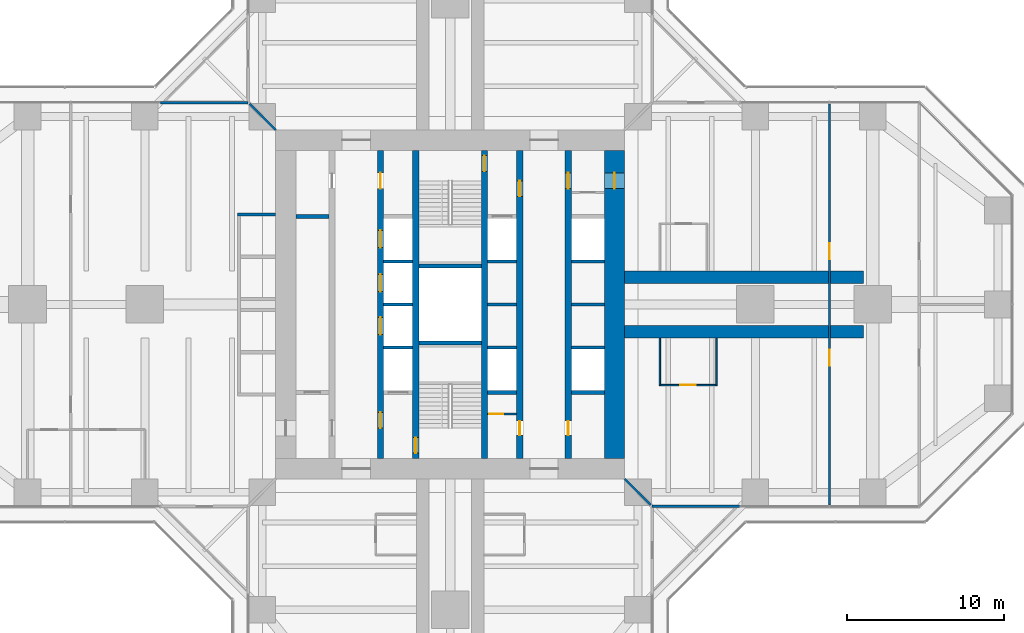
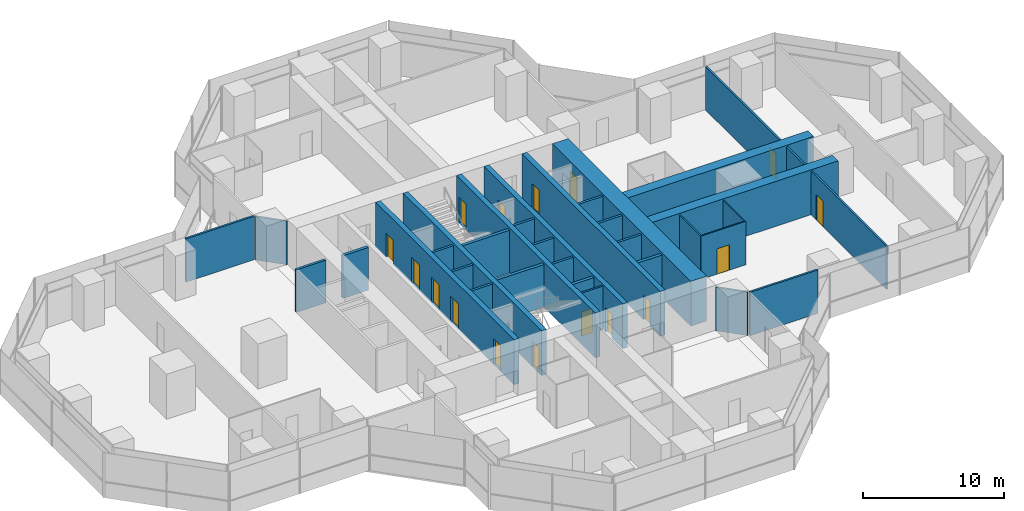
# One storey, part 16 of 20: 32 walls, 16 doors, 16 openings.
"""IFC4 building model written with IfcOpenShell, lengths in metres."""

from ifc_helpers import new_model, si_unit, direction, frame, frame_2d, origin, place, context, subcontext, project, spatial, rectangle, extrude, material, layer, layer_set, type_object, element, fill, save


model = new_model("IFC4")

# Units and contexts
model_context = context("Model", 3, precision=1e-05, world=origin(), true_north=direction((0.0, 1.0)))
body_context = subcontext(model_context, "Body", "Model", "MODEL_VIEW")
ifc_project = project(units=[si_unit("LENGTHUNIT", "METRE"), si_unit("AREAUNIT", "SQUARE_METRE"), si_unit("VOLUMEUNIT", "CUBIC_METRE"), si_unit("PLANEANGLEUNIT", "RADIAN"), si_unit("MASSUNIT", "GRAM", prefix="KILO")], contexts=[model_context])

# Site, building, storey
site_placement = place(None, origin())
site = spatial("IfcSite", under=ifc_project, at=site_placement, CompositionType="ELEMENT")
building_placement = place(site_placement, origin())
building = spatial("IfcBuilding", under=site, at=building_placement, Name="Mizan Broadcast Tower", CompositionType="ELEMENT")
storey_placement = place(building_placement, frame((0.0, 0.0, 190.5)))
storey = spatial("IfcBuildingStorey", under=building, at=storey_placement, Name="L44", CompositionType="ELEMENT", Elevation=190.5)

# Wall, openings, doors
ifc_material_1 = material(Name="Concrete C70/85", Category="concrete")
ifc_layer_1 = layer(ifc_material_1, 0.39990234375)
ifc_layer_set_1 = layer_set([ifc_layer_1], Name="Concrete C70/85")
wall_type_1 = type_object("IfcWallType", Name="CORE INTERNAL WALL 400", PredefinedType="SHEAR", material=ifc_layer_set_1)
wall_1_placement = place(storey_placement, frame((7.550048828125, 9.85009765625, 0.0), z_axis=(0.0, 0.0, 1.0), x_axis=(0.0, -1.0, 0.0)))
wall_1 = element("IfcWall", 1, at=wall_1_placement, inside=storey, type_object=wall_type_1, Name="Core wall CORE/XW1E", PredefinedType="SHEAR", context=body_context, shape_type="SweptSolid", body=[
    extrude(rectangle(XDim=19.7001953125, YDim=0.39990234375, at=frame_2d((9.85009765625, 0.0))), origin(), (0.0, 0.0, 1.0), 3.89990234375),
])
opening_1_placement = place(wall_1_placement, frame((1.449951171875, 0.0, 0.0)))
opening_1 = element("IfcOpeningElement", 2, at=opening_1_placement, cuts=wall_1, Name="Opening D10F", PredefinedType="OPENING", context=body_context, shape_type="SweptSolid", body=[
    extrude(rectangle(XDim=1.0, YDim=2.199951171875, at=frame_2d((0.5, 1.10009765625))), frame((0.0, 0.2099609375, 0.0), z_axis=(0.0, -1.0, 0.0), x_axis=(1.0, 0.0, 0.0)), (0.0, 0.0, 1.0), 0.419921875),
])
opening_2_placement = place(wall_1_placement, frame((17.300048828125, 0.0, 0.0)))
opening_2 = element("IfcOpeningElement", 3, at=opening_2_placement, cuts=wall_1, Name="Opening D09", PredefinedType="OPENING", context=body_context, shape_type="SweptSolid", body=[
    extrude(rectangle(XDim=0.89990234375, YDim=2.10009765625, at=frame_2d((0.449951171875, 1.050048828125))), frame((0.0, 0.2099609375, 0.0), z_axis=(0.0, -1.0, 0.0), x_axis=(1.0, 0.0, 0.0)), (0.0, 0.0, 1.0), 0.419921875),
])
ifc_material_2 = material(Name="Steel door leaf in steel frame", Category="steel")
door_type_1 = type_object("IfcDoorType", Name="FIRE DOOR 1000 FD90", OperationType="SINGLE_SWING_LEFT", PredefinedType="DOOR", material=ifc_material_2)
door_1_placement = place(opening_1_placement, origin())
door_1 = element("IfcDoor", 4, at=door_1_placement, inside=storey, type_object=door_type_1, Name="East core passage door", OperationType="SINGLE_SWING_LEFT", OverallHeight=2.199951171875, OverallWidth=1.0, PredefinedType="DOOR", context=body_context, shape_type="SweptSolid", body=[
    extrude(rectangle(XDim=1.0, YDim=2.199951171875, at=frame_2d((0.5, 1.10009765625))), frame((0.0, 0.02490234375, 0.0), z_axis=(0.0, -1.0, 0.0), x_axis=(1.0, 0.0, 0.0)), (0.0, 0.0, 1.0), 0.050048828125),
])
fill(opening_1, door_1)
ifc_material_3 = material(Name="Timber door leaf in aluminium frame", Category="wood")
door_type_2 = type_object("IfcDoorType", Name="TOILET DOOR 900", OperationType="SINGLE_SWING_LEFT", PredefinedType="DOOR", material=ifc_material_3)
door_2_placement = place(opening_2_placement, origin())
door_2 = element("IfcDoor", 5, at=door_2_placement, inside=storey, type_object=door_type_2, Name="Female WC door", OperationType="SINGLE_SWING_RIGHT", OverallHeight=2.10009765625, OverallWidth=0.89990234375, PredefinedType="DOOR", context=body_context, shape_type="SweptSolid", body=[
    extrude(rectangle(XDim=0.89990234375, YDim=2.10009765625, at=frame_2d((0.449951171875, 1.050048828125))), frame((0.0, 0.02490234375, 0.0), z_axis=(0.0, -1.0, 0.0), x_axis=(1.0, 0.0, 0.0)), (0.0, 0.0, 1.0), 0.050048828125),
])
fill(opening_2, door_2)

wall_2_placement = place(storey_placement, frame((-4.449951171875, -9.85009765625, 0.0), z_axis=(0.0, 0.0, 1.0), x_axis=(0.0, 1.0, 0.0)))
wall_2 = element("IfcWall", 6, at=wall_2_placement, inside=storey, type_object=wall_type_1, Name="Core wall CORE/XWH", PredefinedType="SHEAR", context=body_context, shape_type="SweptSolid", body=[
    extrude(rectangle(XDim=19.7001953125, YDim=0.39990234375, at=frame_2d((9.85009765625, 0.0))), origin(), (0.0, 0.0, 1.0), 3.89990234375),
])
opening_3_placement = place(wall_2_placement, frame((1.949951171875, 0.0, 0.0)))
opening_3 = element("IfcOpeningElement", 7, at=opening_3_placement, cuts=wall_2, Name="Opening D10F", PredefinedType="OPENING", context=body_context, shape_type="SweptSolid", body=[
    extrude(rectangle(XDim=1.0, YDim=2.199951171875, at=frame_2d((0.5, 1.10009765625))), frame((0.0, 0.2099609375, 0.0), z_axis=(0.0, -1.0, 0.0), x_axis=(1.0, 0.0, 0.0)), (0.0, 0.0, 1.0), 0.419921875),
])
opening_4_placement = place(wall_2_placement, frame((17.25, 0.0, 0.0)))
opening_4 = element("IfcOpeningElement", 8, at=opening_4_placement, cuts=wall_2, Name="Opening D10A", PredefinedType="OPENING", context=body_context, shape_type="SweptSolid", body=[
    extrude(rectangle(XDim=1.0, YDim=2.10009765625, at=frame_2d((0.5, 1.050048828125))), frame((0.0, 0.2099609375, 0.0), z_axis=(0.0, -1.0, 0.0), x_axis=(1.0, 0.0, 0.0)), (0.0, 0.0, 1.0), 0.419921875),
])
opening_5_placement = place(wall_2_placement, frame((7.925048828125, 0.0, 0.0)))
opening_5 = element("IfcOpeningElement", 9, at=opening_5_placement, cuts=wall_2, Name="Opening LD", PredefinedType="OPENING", context=body_context, shape_type="SweptSolid", body=[
    extrude(rectangle(XDim=1.10009765625, YDim=2.199951171875, at=frame_2d((0.550048828125, 1.10009765625))), frame((0.0, 0.2099609375, 0.0), z_axis=(0.0, -1.0, 0.0), x_axis=(1.0, 0.0, 0.0)), (0.0, 0.0, 1.0), 0.419921875),
])
opening_6_placement = place(wall_2_placement, frame((10.675048828125, 0.0, 0.0)))
opening_6 = element("IfcOpeningElement", 10, at=opening_6_placement, cuts=wall_2, Name="Opening LD", PredefinedType="OPENING", context=body_context, shape_type="SweptSolid", body=[
    extrude(rectangle(XDim=1.10009765625, YDim=2.199951171875, at=frame_2d((0.550048828125, 1.10009765625))), frame((0.0, 0.2099609375, 0.0), z_axis=(0.0, -1.0, 0.0), x_axis=(1.0, 0.0, 0.0)), (0.0, 0.0, 1.0), 0.419921875),
])
opening_7_placement = place(wall_2_placement, frame((13.47509765625, 0.0, 0.0)))
opening_7 = element("IfcOpeningElement", 11, at=opening_7_placement, cuts=wall_2, Name="Opening LD", PredefinedType="OPENING", context=body_context, shape_type="SweptSolid", body=[
    extrude(rectangle(XDim=1.10009765625, YDim=2.199951171875, at=frame_2d((0.550048828125, 1.10009765625))), frame((0.0, 0.2099609375, 0.0), z_axis=(0.0, -1.0, 0.0), x_axis=(1.0, 0.0, 0.0)), (0.0, 0.0, 1.0), 0.419921875),
])
ifc_material_4 = material(Name="Timber door leaf in aluminium frame", Category="wood")
door_type_3 = type_object("IfcDoorType", Name="ACCESSIBLE WC DOOR 1000", OperationType="SLIDING_TO_LEFT", PredefinedType="DOOR", material=ifc_material_4)
door_3_placement = place(opening_4_placement, origin())
door_3 = element("IfcDoor", 12, at=door_3_placement, inside=storey, type_object=door_type_3, Name="Accessible WC door", OperationType="SLIDING_TO_LEFT", OverallHeight=2.10009765625, OverallWidth=1.0, PredefinedType="DOOR", context=body_context, shape_type="SweptSolid", body=[
    extrude(rectangle(XDim=1.0, YDim=2.10009765625, at=frame_2d((0.5, 1.050048828125))), frame((0.0, 0.02490234375, 0.0), z_axis=(0.0, -1.0, 0.0), x_axis=(1.0, 0.0, 0.0)), (0.0, 0.0, 1.0), 0.050048828125),
])
fill(opening_4, door_3)
door_4_placement = place(opening_3_placement, origin())
door_4 = element("IfcDoor", 13, at=door_4_placement, inside=storey, type_object=door_type_1, Name="Firefighting lobby A door", OperationType="SINGLE_SWING_LEFT", OverallHeight=2.199951171875, OverallWidth=1.0, PredefinedType="DOOR", context=body_context, shape_type="SweptSolid", body=[
    extrude(rectangle(XDim=1.0, YDim=2.199951171875, at=frame_2d((0.5, 1.10009765625))), frame((0.0, 0.02490234375, 0.0), z_axis=(0.0, -1.0, 0.0), x_axis=(1.0, 0.0, 0.0)), (0.0, 0.0, 1.0), 0.050048828125),
])
fill(opening_3, door_4)
ifc_material_5 = material(Name="Steel door leaf in steel frame", Category="steel")
door_type_4 = type_object("IfcDoorType", Name="LIFT LANDING DOOR 1100", OperationType="SLIDING_TO_LEFT", PredefinedType="DOOR", material=ifc_material_5)
door_5_placement = place(opening_5_placement, origin())
door_5 = element("IfcDoor", 14, at=door_5_placement, inside=storey, type_object=door_type_4, Name="Landing door LB1", OperationType="SLIDING_TO_LEFT", OverallHeight=2.199951171875, OverallWidth=1.10009765625, PredefinedType="DOOR", context=body_context, shape_type="SweptSolid", body=[
    extrude(rectangle(XDim=1.10009765625, YDim=2.199951171875, at=frame_2d((0.550048828125, 1.10009765625))), frame((0.0, 0.02490234375, 0.0), z_axis=(0.0, -1.0, 0.0), x_axis=(1.0, 0.0, 0.0)), (0.0, 0.0, 1.0), 0.050048828125),
])
fill(opening_5, door_5)
door_6_placement = place(opening_6_placement, origin())
door_6 = element("IfcDoor", 15, at=door_6_placement, inside=storey, type_object=door_type_4, Name="Landing door LB2", OperationType="SLIDING_TO_LEFT", OverallHeight=2.199951171875, OverallWidth=1.10009765625, PredefinedType="DOOR", context=body_context, shape_type="SweptSolid", body=[
    extrude(rectangle(XDim=1.10009765625, YDim=2.199951171875, at=frame_2d((0.550048828125, 1.10009765625))), frame((0.0, 0.02490234375, 0.0), z_axis=(0.0, -1.0, 0.0), x_axis=(1.0, 0.0, 0.0)), (0.0, 0.0, 1.0), 0.050048828125),
])
fill(opening_6, door_6)
door_7_placement = place(opening_7_placement, origin())
door_7 = element("IfcDoor", 16, at=door_7_placement, inside=storey, type_object=door_type_4, Name="Landing door LB3", OperationType="SLIDING_TO_LEFT", OverallHeight=2.199951171875, OverallWidth=1.10009765625, PredefinedType="DOOR", context=body_context, shape_type="SweptSolid", body=[
    extrude(rectangle(XDim=1.10009765625, YDim=2.199951171875, at=frame_2d((0.550048828125, 1.10009765625))), frame((0.0, 0.02490234375, 0.0), z_axis=(0.0, -1.0, 0.0), x_axis=(1.0, 0.0, 0.0)), (0.0, 0.0, 1.0), 0.050048828125),
])
fill(opening_7, door_7)

wall_3_placement = place(storey_placement, frame((4.449951171875, 9.85009765625, 0.0), z_axis=(0.0, 0.0, 1.0), x_axis=(0.0, -1.0, 0.0)))
wall_3 = element("IfcWall", 17, at=wall_3_placement, inside=storey, type_object=wall_type_1, Name="Core wall CORE/XWHE", PredefinedType="SHEAR", context=body_context, shape_type="SweptSolid", body=[
    extrude(rectangle(XDim=19.7001953125, YDim=0.39990234375, at=frame_2d((9.85009765625, 0.0))), origin(), (0.0, 0.0, 1.0), 3.89990234375),
])
opening_8_placement = place(wall_3_placement, frame((1.949951171875, 0.0, 0.0)))
opening_8 = element("IfcOpeningElement", 18, at=opening_8_placement, cuts=wall_3, Name="Opening D10F", PredefinedType="OPENING", context=body_context, shape_type="SweptSolid", body=[
    extrude(rectangle(XDim=1.0, YDim=2.199951171875, at=frame_2d((0.5, 1.10009765625))), frame((0.0, 0.2099609375, 0.0), z_axis=(0.0, -1.0, 0.0), x_axis=(1.0, 0.0, 0.0)), (0.0, 0.0, 1.0), 0.419921875),
])
opening_9_placement = place(wall_3_placement, frame((17.300048828125, 0.0, 0.0)))
opening_9 = element("IfcOpeningElement", 19, at=opening_9_placement, cuts=wall_3, Name="Opening D09", PredefinedType="OPENING", context=body_context, shape_type="SweptSolid", body=[
    extrude(rectangle(XDim=0.89990234375, YDim=2.10009765625, at=frame_2d((0.449951171875, 1.050048828125))), frame((0.0, 0.2099609375, 0.0), z_axis=(0.0, -1.0, 0.0), x_axis=(1.0, 0.0, 0.0)), (0.0, 0.0, 1.0), 0.419921875),
])
door_8_placement = place(opening_8_placement, origin())
door_8 = element("IfcDoor", 20, at=door_8_placement, inside=storey, type_object=door_type_1, Name="Firefighting lobby B door", OperationType="SINGLE_SWING_LEFT", OverallHeight=2.199951171875, OverallWidth=1.0, PredefinedType="DOOR", context=body_context, shape_type="SweptSolid", body=[
    extrude(rectangle(XDim=1.0, YDim=2.199951171875, at=frame_2d((0.5, 1.10009765625))), frame((0.0, 0.02490234375, 0.0), z_axis=(0.0, -1.0, 0.0), x_axis=(1.0, 0.0, 0.0)), (0.0, 0.0, 1.0), 0.050048828125),
])
fill(opening_8, door_8)
door_9_placement = place(opening_9_placement, origin())
door_9 = element("IfcDoor", 21, at=door_9_placement, inside=storey, type_object=door_type_2, Name="Cleaner's store door", OperationType="SINGLE_SWING_RIGHT", OverallHeight=2.10009765625, OverallWidth=0.89990234375, PredefinedType="DOOR", context=body_context, shape_type="SweptSolid", body=[
    extrude(rectangle(XDim=0.89990234375, YDim=2.10009765625, at=frame_2d((0.449951171875, 1.050048828125))), frame((0.0, 0.02490234375, 0.0), z_axis=(0.0, -1.0, 0.0), x_axis=(1.0, 0.0, 0.0)), (0.0, 0.0, 1.0), 0.050048828125),
])
fill(opening_9, door_9)

# Wall, opening, door
wall_4_placement = place(storey_placement, frame((-2.199951171875, -9.85009765625, 0.0), z_axis=(0.0, 0.0, 1.0), x_axis=(0.0, 1.0, 0.0)))
wall_4 = element("IfcWall", 22, at=wall_4_placement, inside=storey, type_object=wall_type_1, Name="Core wall CORE/XW2", PredefinedType="SHEAR", context=body_context, shape_type="SweptSolid", body=[
    extrude(rectangle(XDim=19.7001953125, YDim=0.39990234375, at=frame_2d((9.85009765625, 0.0))), origin(), (0.0, 0.0, 1.0), 3.89990234375),
])
opening_10_placement = place(wall_4_placement, frame((0.35009765625, 0.0, 0.0)))
opening_10 = element("IfcOpeningElement", 23, at=opening_10_placement, cuts=wall_4, Name="Opening D10S", PredefinedType="OPENING", context=body_context, shape_type="SweptSolid", body=[
    extrude(rectangle(XDim=1.0, YDim=2.199951171875, at=frame_2d((0.5, 1.10009765625))), frame((0.0, 0.2099609375, 0.0), z_axis=(0.0, -1.0, 0.0), x_axis=(1.0, 0.0, 0.0)), (0.0, 0.0, 1.0), 0.419921875),
])
ifc_material_6 = material(Name="Steel door leaf in steel frame", Category="steel")
door_type_5 = type_object("IfcDoorType", Name="STAIR DOOR 1000 FD90S", OperationType="SINGLE_SWING_RIGHT", PredefinedType="DOOR", material=ifc_material_6)
door_10_placement = place(opening_10_placement, origin())
door_10 = element("IfcDoor", 24, at=door_10_placement, inside=storey, type_object=door_type_5, Name="Stair A door", OperationType="SINGLE_SWING_RIGHT", OverallHeight=2.199951171875, OverallWidth=1.0, PredefinedType="DOOR", context=body_context, shape_type="SweptSolid", body=[
    extrude(rectangle(XDim=1.0, YDim=2.199951171875, at=frame_2d((0.5, 1.10009765625))), frame((0.0, 0.02490234375, 0.0), z_axis=(0.0, -1.0, 0.0), x_axis=(1.0, 0.0, 0.0)), (0.0, 0.0, 1.0), 0.050048828125),
])
fill(opening_10, door_10)

wall_5_placement = place(storey_placement, frame((2.199951171875, 9.85009765625, 0.0), z_axis=(0.0, 0.0, 1.0), x_axis=(0.0, -1.0, 0.0)))
wall_5 = element("IfcWall", 25, at=wall_5_placement, inside=storey, type_object=wall_type_1, Name="Core wall CORE/XW2E", PredefinedType="SHEAR", context=body_context, shape_type="SweptSolid", body=[
    extrude(rectangle(XDim=19.7001953125, YDim=0.39990234375, at=frame_2d((9.85009765625, 0.0))), origin(), (0.0, 0.0, 1.0), 3.89990234375),
])
opening_11_placement = place(wall_5_placement, frame((0.35009765625, 0.0, 0.0)))
opening_11 = element("IfcOpeningElement", 26, at=opening_11_placement, cuts=wall_5, Name="Opening D10S", PredefinedType="OPENING", context=body_context, shape_type="SweptSolid", body=[
    extrude(rectangle(XDim=1.0, YDim=2.199951171875, at=frame_2d((0.5, 1.10009765625))), frame((0.0, 0.2099609375, 0.0), z_axis=(0.0, -1.0, 0.0), x_axis=(1.0, 0.0, 0.0)), (0.0, 0.0, 1.0), 0.419921875),
])
door_11_placement = place(opening_11_placement, origin())
door_11 = element("IfcDoor", 27, at=door_11_placement, inside=storey, type_object=door_type_5, Name="Stair B door", OperationType="SINGLE_SWING_RIGHT", OverallHeight=2.199951171875, OverallWidth=1.0, PredefinedType="DOOR", context=body_context, shape_type="SweptSolid", body=[
    extrude(rectangle(XDim=1.0, YDim=2.199951171875, at=frame_2d((0.5, 1.10009765625))), frame((0.0, 0.02490234375, 0.0), z_axis=(0.0, -1.0, 0.0), x_axis=(1.0, 0.0, 0.0)), (0.0, 0.0, 1.0), 0.050048828125),
])
fill(opening_11, door_11)

ifc_material_7 = material(Name="Concrete blockwork", Category="masonry")
ifc_layer_2 = layer(ifc_material_7, 0.14990234375)
ifc_layer_set_2 = layer_set([ifc_layer_2], Name="Concrete blockwork")
wall_type_2 = type_object("IfcWallType", Name="CORE PARTITION 150", PredefinedType="SOLIDWALL", material=ifc_layer_set_2)
wall_6_placement = place(storey_placement, frame((2.39990234375, -7.0, 0.0), z_axis=(0.0, 0.0, 1.0), x_axis=(1.0, 0.0, 0.0)))
wall_6 = element("IfcWall", 28, at=wall_6_placement, inside=storey, type_object=wall_type_2, Name="Core partition CORE/XPC", PredefinedType="SOLIDWALL", context=body_context, shape_type="SweptSolid", body=[
    extrude(rectangle(XDim=1.85009765625, YDim=0.14990234375, at=frame_2d((0.925048828125, 0.0))), origin(), (0.0, 0.0, 1.0), 3.77001953125),
])
opening_12_placement = place(wall_6_placement, frame((0.10009765625, 0.0, 0.0)))
opening_12 = element("IfcOpeningElement", 29, at=opening_12_placement, cuts=wall_6, Name="Opening D09F", PredefinedType="OPENING", context=body_context, shape_type="SweptSolid", body=[
    extrude(rectangle(XDim=0.89990234375, YDim=2.10009765625, at=frame_2d((0.449951171875, 1.050048828125))), frame((0.0, 0.0849609375, 0.0), z_axis=(0.0, -1.0, 0.0), x_axis=(1.0, 0.0, 0.0)), (0.0, 0.0, 1.0), 0.169921875),
])
ifc_material_8 = material(Name="Steel door leaf in steel frame", Category="steel")
door_type_6 = type_object("IfcDoorType", Name="CORE ROOM DOOR 900 FD90", OperationType="SINGLE_SWING_LEFT", PredefinedType="DOOR", material=ifc_material_8)
door_12_placement = place(opening_12_placement, origin())
door_12 = element("IfcDoor", 30, at=door_12_placement, inside=storey, type_object=door_type_6, Name="Cleaning materials store door", OperationType="SINGLE_SWING_LEFT", OverallHeight=2.10009765625, OverallWidth=0.89990234375, PredefinedType="DOOR", context=body_context, shape_type="SweptSolid", body=[
    extrude(rectangle(XDim=0.89990234375, YDim=2.10009765625, at=frame_2d((0.449951171875, 1.050048828125))), frame((0.0, 0.02490234375, 0.0), z_axis=(0.0, -1.0, 0.0), x_axis=(1.0, 0.0, 0.0)), (0.0, 0.0, 1.0), 0.050048828125),
])
fill(opening_12, door_12)

ifc_material_9 = material(Name="Concrete C70/85", Category="concrete")
ifc_layer_3 = layer(ifc_material_9, 1.300048828125)
ifc_layer_set_3 = layer_set([ifc_layer_3], Name="Concrete C70/85")
wall_type_3 = type_object("IfcWallType", Name="CORE WALL 1300", PredefinedType="SHEAR", material=ifc_layer_set_3)
wall_7_placement = place(storey_placement, frame((10.5, -9.85009765625, 0.0), z_axis=(0.0, 0.0, 1.0), x_axis=(0.0, 1.0, 0.0)))
wall_7 = element("IfcWall", 31, at=wall_7_placement, inside=storey, type_object=wall_type_3, Name="Core wall E L44", PredefinedType="SHEAR", context=body_context, shape_type="SweptSolid", body=[
    extrude(rectangle(XDim=19.7001953125, YDim=1.300048828125, at=frame_2d((9.85009765625, 0.0))), origin(), (0.0, 0.0, 1.0), 3.89990234375),
])
opening_13_placement = place(wall_7_placement, frame((17.25, 0.0, 0.0)))
opening_13 = element("IfcOpeningElement", 32, at=opening_13_placement, cuts=wall_7, Name="Opening D10F", PredefinedType="OPENING", context=body_context, shape_type="SweptSolid", body=[
    extrude(rectangle(XDim=1.0, YDim=2.199951171875, at=frame_2d((0.5, 1.10009765625))), frame((0.0, 0.659912109375, 0.0), z_axis=(0.0, -1.0, 0.0), x_axis=(1.0, 0.0, 0.0)), (0.0, 0.0, 1.0), 1.320068359375),
])
door_13_placement = place(opening_13_placement, origin())
door_13 = element("IfcDoor", 33, at=door_13_placement, inside=storey, type_object=door_type_1, Name="East core passage arm door", OperationType="SINGLE_SWING_RIGHT", OverallHeight=2.199951171875, OverallWidth=1.0, PredefinedType="DOOR", context=body_context, shape_type="SweptSolid", body=[
    extrude(rectangle(XDim=1.0, YDim=2.199951171875, at=frame_2d((0.5, 1.10009765625))), frame((0.0, 0.02490234375, 0.0), z_axis=(0.0, -1.0, 0.0), x_axis=(1.0, 0.0, 0.0)), (0.0, 0.0, 1.0), 0.050048828125),
])
fill(opening_13, door_13)

# Walls
ifc_material_10 = material(Name="Aluminium framed glazed screen", Category="aluminium")
ifc_layer_4 = layer(ifc_material_10, 0.159912109375)
ifc_layer_set_4 = layer_set([ifc_layer_4], Name="Aluminium framed glazed screen")
wall_type_4 = type_object("IfcWallType", Name="GLAZED SCREEN WALL 160", PredefinedType="SOLIDWALL", material=ifc_layer_set_4)
for number, where, z_axis, x_axis, name in (
    (34, (12.89990234375, -12.89990234375, 0.0), (0.0, 0.0, 1.0), (1.0, 0.0, 0.0), "Winter garden screen L44 E"),
    (35, (-12.89990234375, 12.89990234375, 0.0), (0.0, 0.0, 1.0), (-1.0, 0.0, 0.0), "Winter garden screen L44 W"),
):
    element("IfcWall", number, at=place(storey_placement, frame(where, z_axis=z_axis, x_axis=x_axis)), inside=storey, type_object=wall_type_4, Name=name, PredefinedType="SOLIDWALL", context=body_context, shape_type="SweptSolid", body=[
        extrude(rectangle(XDim=5.60009765625, YDim=0.159912109375, at=frame_2d((2.800048828125, 0.0))), origin(), (0.0, 0.0, 1.0), 3.77001953125),
    ])
ifc_material_11 = material(Name="Concrete blockwork", Category="masonry")
ifc_layer_5 = layer(ifc_material_11, 0.199951171875)
ifc_layer_set_5 = layer_set([ifc_layer_5], Name="Concrete blockwork")
wall_type_5 = type_object("IfcWallType", Name="LIFT SHAFT WALL 200", PredefinedType="SOLIDWALL", material=ifc_layer_set_5)
for number, where, z_axis, x_axis, name in (
    (36, (-4.25, -2.75, 0.0), (0.0, 0.0, 1.0), (1.0, 0.0, 0.0), "Lift shaft wall CORE/SW2-1"),
    (37, (2.39990234375, -2.75, 0.0), (0.0, 0.0, 1.0), (1.0, 0.0, 0.0), "Lift shaft wall CORE/SE2-1"),
):
    element("IfcWall", number, at=place(storey_placement, frame(where, z_axis=z_axis, x_axis=x_axis)), inside=storey, type_object=wall_type_5, Name=name, PredefinedType="SOLIDWALL", context=body_context, shape_type="SweptSolid", body=[
        extrude(rectangle(XDim=1.85009765625, YDim=0.199951171875, at=frame_2d((0.925048828125, 0.0))), origin(), (0.0, 0.0, 1.0), 3.699951171875),
    ])
wall_8_placement = place(storey_placement, frame((7.75, -2.75, 0.0), z_axis=(0.0, 0.0, 1.0), x_axis=(1.0, 0.0, 0.0)))
element("IfcWall", 38, at=wall_8_placement, inside=storey, type_object=wall_type_5, Name="Lift shaft wall CORE/SE1-1", PredefinedType="SOLIDWALL", context=body_context, shape_type="SweptSolid", body=[
    extrude(rectangle(XDim=2.10009765625, YDim=0.199951171875, at=frame_2d((1.050048828125, 0.0))), origin(), (0.0, 0.0, 1.0), 3.699951171875),
])
for number, where, z_axis, x_axis, name in (
    (39, (-4.25, 0.0, 0.0), (0.0, 0.0, 1.0), (1.0, 0.0, 0.0), "Lift shaft wall CORE/SW2-2"),
    (40, (2.39990234375, 0.0, 0.0), (0.0, 0.0, 1.0), (1.0, 0.0, 0.0), "Lift shaft wall CORE/SE2-2"),
):
    element("IfcWall", number, at=place(storey_placement, frame(where, z_axis=z_axis, x_axis=x_axis)), inside=storey, type_object=wall_type_5, Name=name, PredefinedType="SOLIDWALL", context=body_context, shape_type="SweptSolid", body=[
        extrude(rectangle(XDim=1.85009765625, YDim=0.199951171875, at=frame_2d((0.925048828125, 0.0))), origin(), (0.0, 0.0, 1.0), 3.699951171875),
    ])
wall_9_placement = place(storey_placement, frame((7.75, 0.0, 0.0), z_axis=(0.0, 0.0, 1.0), x_axis=(1.0, 0.0, 0.0)))
element("IfcWall", 41, at=wall_9_placement, inside=storey, type_object=wall_type_5, Name="Lift shaft wall CORE/SE1-2", PredefinedType="SOLIDWALL", context=body_context, shape_type="SweptSolid", body=[
    extrude(rectangle(XDim=2.10009765625, YDim=0.199951171875, at=frame_2d((1.050048828125, 0.0))), origin(), (0.0, 0.0, 1.0), 3.699951171875),
])
for number, where, z_axis, x_axis, name in (
    (42, (-4.25, 2.75, 0.0), (0.0, 0.0, 1.0), (1.0, 0.0, 0.0), "Lift shaft wall CORE/SW2-3"),
    (43, (2.39990234375, 2.75, 0.0), (0.0, 0.0, 1.0), (1.0, 0.0, 0.0), "Lift shaft wall CORE/SE2-3"),
):
    element("IfcWall", number, at=place(storey_placement, frame(where, z_axis=z_axis, x_axis=x_axis)), inside=storey, type_object=wall_type_5, Name=name, PredefinedType="SOLIDWALL", context=body_context, shape_type="SweptSolid", body=[
        extrude(rectangle(XDim=1.85009765625, YDim=0.199951171875, at=frame_2d((0.925048828125, 0.0))), origin(), (0.0, 0.0, 1.0), 3.699951171875),
    ])
wall_10_placement = place(storey_placement, frame((7.75, 2.75, 0.0), z_axis=(0.0, 0.0, 1.0), x_axis=(1.0, 0.0, 0.0)))
element("IfcWall", 44, at=wall_10_placement, inside=storey, type_object=wall_type_5, Name="Lift shaft wall CORE/SE1-3", PredefinedType="SOLIDWALL", context=body_context, shape_type="SweptSolid", body=[
    extrude(rectangle(XDim=2.10009765625, YDim=0.199951171875, at=frame_2d((1.050048828125, 0.0))), origin(), (0.0, 0.0, 1.0), 3.699951171875),
])
wall_11_placement = place(storey_placement, frame((-11.14990234375, 5.75, 0.0), z_axis=(0.0, 0.0, 1.0), x_axis=(-1.0, 0.0, 0.0)))
element("IfcWall", 45, at=wall_11_placement, inside=storey, type_object=wall_type_5, Name="Lift shaft wall LC/S1", PredefinedType="SOLIDWALL", context=body_context, shape_type="SweptSolid", body=[
    extrude(rectangle(XDim=2.4501953125, YDim=0.199951171875, at=frame_2d((1.22509765625, 0.0))), origin(), (0.0, 0.0, 1.0), 3.699951171875),
])
ifc_material_12 = material(Name="Concrete blockwork", Category="masonry")
ifc_layer_6 = layer(ifc_material_12, 0.25)
ifc_layer_set_6 = layer_set([ifc_layer_6], Name="Concrete blockwork")
wall_type_6 = type_object("IfcWallType", Name="LOBBY ENCLOSURE WALL 250", PredefinedType="SOLIDWALL", material=ifc_layer_set_6)
wall_12_placement = place(storey_placement, frame((-9.85009765625, 5.625, 0.0), z_axis=(0.0, 0.0, 1.0), x_axis=(1.0, 0.0, 0.0)))
element("IfcWall", 46, at=wall_12_placement, inside=storey, type_object=wall_type_6, Name="Lobby enclosure wall CORE/BW1N", PredefinedType="SOLIDWALL", context=body_context, shape_type="SweptSolid", body=[
    extrude(rectangle(XDim=2.10009765625, YDim=0.25, at=frame_2d((1.050048828125, 0.0))), origin(), (0.0, 0.0, 1.0), 3.699951171875),
])
wall_13_placement = place(storey_placement, frame((2.39990234375, -5.625, 0.0), z_axis=(0.0, 0.0, 1.0), x_axis=(1.0, 0.0, 0.0)))
element("IfcWall", 47, at=wall_13_placement, inside=storey, type_object=wall_type_6, Name="Lobby enclosure wall CORE/BE2S", PredefinedType="SOLIDWALL", context=body_context, shape_type="SweptSolid", body=[
    extrude(rectangle(XDim=1.85009765625, YDim=0.25, at=frame_2d((0.925048828125, 0.0))), origin(), (0.0, 0.0, 1.0), 3.699951171875),
])
wall_14_placement = place(storey_placement, frame((7.75, -5.625, 0.0), z_axis=(0.0, 0.0, 1.0), x_axis=(1.0, 0.0, 0.0)))
element("IfcWall", 48, at=wall_14_placement, inside=storey, type_object=wall_type_6, Name="Lobby enclosure wall CORE/BE1S", PredefinedType="SOLIDWALL", context=body_context, shape_type="SweptSolid", body=[
    extrude(rectangle(XDim=2.10009765625, YDim=0.25, at=frame_2d((1.050048828125, 0.0))), origin(), (0.0, 0.0, 1.0), 3.699951171875),
])
for number, where, z_axis, x_axis, name in (
    (49, (-2.0, -2.449951171875, 0.0), (0.0, 0.0, 1.0), (1.0, 0.0, 0.0), "Lobby enclosure wall CORE/STA"),
    (50, (-2.0, 2.449951171875, 0.0), (0.0, 0.0, 1.0), (1.0, 0.0, 0.0), "Lobby enclosure wall CORE/STB"),
):
    element("IfcWall", number, at=place(storey_placement, frame(where, z_axis=z_axis, x_axis=x_axis)), inside=storey, type_object=wall_type_6, Name=name, PredefinedType="SOLIDWALL", context=body_context, shape_type="SweptSolid", body=[
        extrude(rectangle(XDim=4.0, YDim=0.25, at=frame_2d((2.0, 0.0))), origin(), (0.0, 0.0, 1.0), 3.699951171875),
    ])

# Wall, openings, doors
ifc_material_13 = material(Name="Gypsum board on steel studs", Category="steel")
ifc_layer_7 = layer(ifc_material_13, 0.14990234375)
ifc_layer_set_7 = layer_set([ifc_layer_7], Name="Gypsum board on steel studs")
wall_type_7 = type_object("IfcWallType", Name="PARTITION 150", PredefinedType="PARTITIONING", material=ifc_layer_set_7)
wall_15_placement = place(storey_placement, frame((24.22900390625, -12.820068359375, 0.0), z_axis=(0.0, 0.0, 1.0), x_axis=(0.0, 1.0, 0.0)))
wall_15 = element("IfcWall", 51, at=wall_15_placement, inside=storey, type_object=wall_type_7, Name="Partition PT/EX1", PredefinedType="PARTITIONING", context=body_context, shape_type="SweptSolid", body=[
    extrude(rectangle(XDim=25.64013671875, YDim=0.14990234375, at=frame_2d((12.820068359375, 0.0))), origin(), (0.0, 0.0, 1.0), 3.77001953125),
])
opening_14_placement = place(wall_15_placement, frame((15.719970703125, 0.0, 0.0)))
opening_14 = element("IfcOpeningElement", 52, at=opening_14_placement, cuts=wall_15, Name="Opening D10", PredefinedType="OPENING", context=body_context, shape_type="SweptSolid", body=[
    extrude(rectangle(XDim=1.0, YDim=2.199951171875, at=frame_2d((0.5, 1.10009765625))), frame((0.0, 0.0849609375, 0.0), z_axis=(0.0, -1.0, 0.0), x_axis=(1.0, 0.0, 0.0)), (0.0, 0.0, 1.0), 0.169921875),
])
opening_15_placement = place(wall_15_placement, frame((8.919921875, 0.0, 0.0)))
opening_15 = element("IfcOpeningElement", 53, at=opening_15_placement, cuts=wall_15, Name="Opening D10", PredefinedType="OPENING", context=body_context, shape_type="SweptSolid", body=[
    extrude(rectangle(XDim=1.0, YDim=2.199951171875, at=frame_2d((0.5, 1.10009765625))), frame((0.0, 0.0849609375, 0.0), z_axis=(0.0, -1.0, 0.0), x_axis=(1.0, 0.0, 0.0)), (0.0, 0.0, 1.0), 0.169921875),
])
ifc_material_14 = material(Name="Timber door leaf in aluminium frame", Category="wood")
door_type_7 = type_object("IfcDoorType", Name="ROOM DOOR 1000", OperationType="SINGLE_SWING_LEFT", PredefinedType="DOOR", material=ifc_material_14)
door_14_placement = place(opening_14_placement, origin())
door_14 = element("IfcDoor", 54, at=door_14_placement, inside=storey, type_object=door_type_7, Name="Open office door", OperationType="SINGLE_SWING_RIGHT", OverallHeight=2.199951171875, OverallWidth=1.0, PredefinedType="DOOR", context=body_context, shape_type="SweptSolid", body=[
    extrude(rectangle(XDim=1.0, YDim=2.199951171875, at=frame_2d((0.5, 1.10009765625))), frame((0.0, 0.02490234375, 0.0), z_axis=(0.0, -1.0, 0.0), x_axis=(1.0, 0.0, 0.0)), (0.0, 0.0, 1.0), 0.050048828125),
])
fill(opening_14, door_14)
door_15_placement = place(opening_15_placement, origin())
door_15 = element("IfcDoor", 55, at=door_15_placement, inside=storey, type_object=door_type_7, Name="Open office door", OperationType="SINGLE_SWING_LEFT", OverallHeight=2.199951171875, OverallWidth=1.0, PredefinedType="DOOR", context=body_context, shape_type="SweptSolid", body=[
    extrude(rectangle(XDim=1.0, YDim=2.199951171875, at=frame_2d((0.5, 1.10009765625))), frame((0.0, 0.02490234375, 0.0), z_axis=(0.0, -1.0, 0.0), x_axis=(1.0, 0.0, 0.0)), (0.0, 0.0, 1.0), 0.050048828125),
])
fill(opening_15, door_15)

# Walls
for number, where, z_axis, x_axis, name in (
    (56, (-11.14990234375, 11.14990234375, 0.0), (0.0, 0.0, 1.0), (-0.707106781187, 0.707106781187, 0.0), "Partition PT/DGWN"),
    (57, (11.14990234375, -11.14990234375, 0.0), (0.0, 0.0, 1.0), (0.707106781187, -0.707106781187, 0.0), "Partition PT/DGES"),
):
    element("IfcWall", number, at=place(storey_placement, frame(where, z_axis=z_axis, x_axis=x_axis)), inside=storey, type_object=wall_type_7, Name=name, PredefinedType="PARTITIONING", context=body_context, shape_type="SweptSolid", body=[
        extrude(rectangle(XDim=2.362060546875, YDim=0.14990234375, at=frame_2d((1.18115234375, 0.0))), origin(), (0.0, 0.0, 1.0), 3.77001953125),
    ])
ifc_material_15 = material(Name="Glazed aluminium partition on aluminium track", Category="aluminium")
ifc_layer_8 = layer(ifc_material_15, 0.10009765625)
ifc_layer_set_8 = layer_set([ifc_layer_8], Name="Glazed aluminium partition on aluminium track")
wall_type_8 = type_object("IfcWallType", Name="PARTITION GLAZED OFFICE FRONT 100", PredefinedType="PARTITIONING", material=ifc_layer_set_8)
for number, where, z_axis, x_axis, name in (
    (58, (13.39990234375, -2.14990234375, 0.0), (0.0, 0.0, 1.0), (0.0, -1.0, 0.0), "Glazed office front PT/EKN0a"),
    (59, (17.0, -2.14990234375, 0.0), (0.0, 0.0, 1.0), (0.0, -1.0, 0.0), "Glazed office front PT/EKN0b"),
):
    element("IfcWall", number, at=place(storey_placement, frame(where, z_axis=z_axis, x_axis=x_axis)), inside=storey, type_object=wall_type_8, Name=name, PredefinedType="PARTITIONING", context=body_context, shape_type="SweptSolid", body=[
        extrude(rectangle(XDim=3.0, YDim=0.10009765625, at=frame_2d((1.5, 0.0))), origin(), (0.0, 0.0, 1.0), 3.77001953125),
    ])

# Wall, opening, door
wall_16_placement = place(storey_placement, frame((13.35009765625, -5.14990234375, 0.0), z_axis=(0.0, 0.0, 1.0), x_axis=(1.0, 0.0, 0.0)))
wall_16 = element("IfcWall", 60, at=wall_16_placement, inside=storey, type_object=wall_type_8, Name="Glazed office front PT/EKN0f", PredefinedType="PARTITIONING", context=body_context, shape_type="SweptSolid", body=[
    extrude(rectangle(XDim=3.699951171875, YDim=0.10009765625, at=frame_2d((1.85009765625, 0.0))), origin(), (0.0, 0.0, 1.0), 3.77001953125),
])
opening_16_placement = place(wall_16_placement, frame((1.35009765625, 0.0, 0.0)))
opening_16 = element("IfcOpeningElement", 61, at=opening_16_placement, cuts=wall_16, Name="Opening D10O", PredefinedType="OPENING", context=body_context, shape_type="SweptSolid", body=[
    extrude(rectangle(XDim=1.0, YDim=2.199951171875, at=frame_2d((0.5, 1.10009765625))), frame((0.0, 0.06005859375, 0.0), z_axis=(0.0, -1.0, 0.0), x_axis=(1.0, 0.0, 0.0)), (0.0, 0.0, 1.0), 0.1201171875),
])
ifc_material_16 = material(Name="Timber door leaf in aluminium frame", Category="wood")
door_type_8 = type_object("IfcDoorType", Name="OFFICE DOOR 1000 GLAZED", OperationType="SINGLE_SWING_LEFT", PredefinedType="DOOR", material=ifc_material_16)
door_16_placement = place(opening_16_placement, origin())
door_16 = element("IfcDoor", 62, at=door_16_placement, inside=storey, type_object=door_type_8, Name="Model store door", OperationType="SINGLE_SWING_LEFT", OverallHeight=2.199951171875, OverallWidth=1.0, PredefinedType="DOOR", context=body_context, shape_type="SweptSolid", body=[
    extrude(rectangle(XDim=1.0, YDim=2.199951171875, at=frame_2d((0.5, 1.10009765625))), frame((0.0, 0.02490234375, 0.0), z_axis=(0.0, -1.0, 0.0), x_axis=(1.0, 0.0, 0.0)), (0.0, 0.0, 1.0), 0.050048828125),
])
fill(opening_16, door_16)

# Walls
ifc_material_17 = material(Name="Concrete C70/85", Category="concrete")
ifc_layer_9 = layer(ifc_material_17, 0.800048828125)
ifc_layer_set_9 = layer_set([ifc_layer_9], Name="Concrete C70/85")
wall_type_9 = type_object("IfcWallType", Name="SPINE WALL 800", PredefinedType="SHEAR", material=ifc_layer_set_9)
for number, where, z_axis, x_axis, name in (
    (63, (11.14990234375, -1.75, 0.0), (0.0, 0.0, 1.0), (1.0, 0.0, 0.0), "Spine wall ER L44"),
    (64, (11.14990234375, 1.75, 0.0), (0.0, 0.0, 1.0), (1.0, 0.0, 0.0), "Spine wall EL L44"),
):
    element("IfcWall", number, at=place(storey_placement, frame(where, z_axis=z_axis, x_axis=x_axis)), inside=storey, type_object=wall_type_9, Name=name, PredefinedType="SHEAR", context=body_context, shape_type="SweptSolid", body=[
        extrude(rectangle(XDim=15.25, YDim=0.800048828125, at=frame_2d((7.625, 0.0))), origin(), (0.0, 0.0, 1.0), 3.89990234375),
    ])

save(model, "model.ifc")
